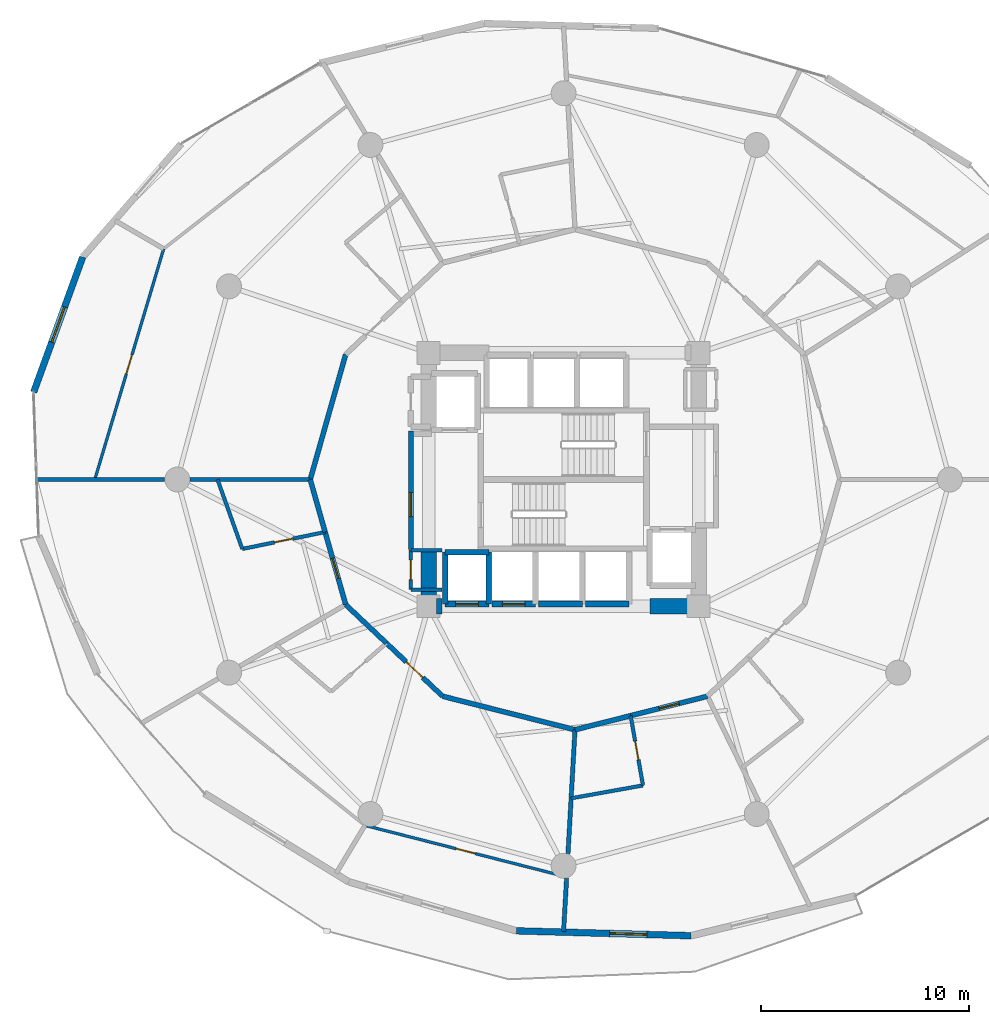
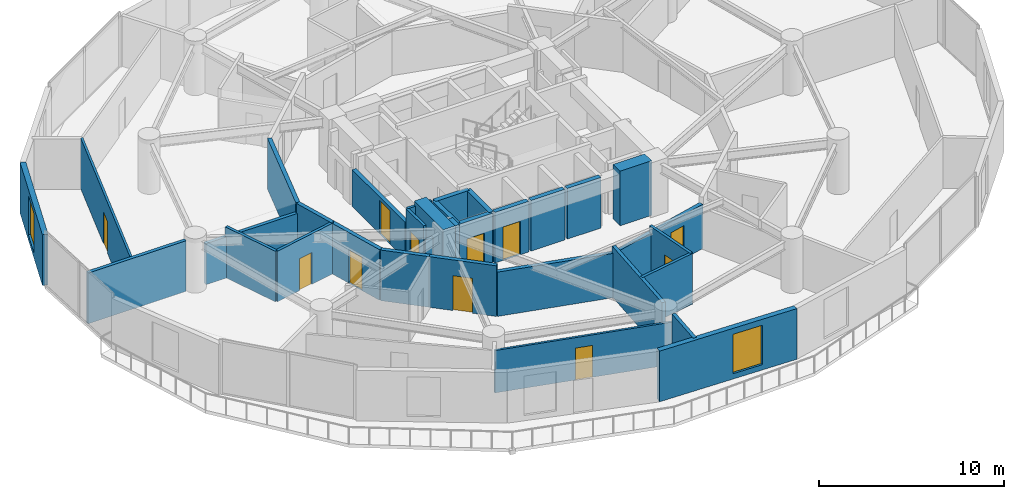
# One storey, part 17 of 23: 34 walls, 11 doors, 2 windows, 13 openings.
"""IFC4 building model written with IfcOpenShell, lengths in metres."""

from ifc_helpers import new_model, si_unit, direction, frame, frame_2d, origin, place, context, subcontext, project, spatial, rectangle, extrude, material, layer, layer_set, type_object, element, fill, save


model = new_model("IFC4")

# Units and contexts
model_context = context("Model", 3, precision=1e-05, world=origin(), true_north=direction((0.0, 1.0)))
body_context = subcontext(model_context, "Body", "Model", "MODEL_VIEW")
ifc_project = project(units=[si_unit("LENGTHUNIT", "METRE"), si_unit("AREAUNIT", "SQUARE_METRE"), si_unit("VOLUMEUNIT", "CUBIC_METRE"), si_unit("PLANEANGLEUNIT", "RADIAN"), si_unit("MASSUNIT", "GRAM", prefix="KILO")], contexts=[model_context])

# Site, building, storey
site_placement = place(None, origin())
site = spatial("IfcSite", under=ifc_project, at=site_placement, CompositionType="ELEMENT")
building_placement = place(site_placement, origin())
building = spatial("IfcBuilding", under=site, at=building_placement, Name="Solvirekh Grand Hotel", CompositionType="ELEMENT")
storey_placement = place(building_placement, frame((0.0, 0.0, 42.800048828125)))
storey = spatial("IfcBuildingStorey", under=building, at=storey_placement, Name="L09", CompositionType="ELEMENT", Elevation=42.800048828125)

# Wall, opening, door
ifc_material_1 = material(Name="Concrete C40/50", Category="concrete")
ifc_layer_1 = layer(ifc_material_1, 0.280029296875)
ifc_layer_set_1 = layer_set([ifc_layer_1], Name="Concrete C40/50")
wall_type_1 = type_object("IfcWallType", Name="CoreShaftWall_RC280", PredefinedType="SOLIDWALL", material=ifc_layer_set_1)
wall_1_placement = place(storey_placement, frame((-5.699951171875, -6.0, 0.0), z_axis=(0.0, 0.0, 1.0), x_axis=(1.0, 0.0, 0.0)))
wall_1 = element("IfcWall", 1, at=wall_1_placement, inside=storey, type_object=wall_type_1, Name="L09 LP-1 hoistway S wall", PredefinedType="SOLIDWALL", context=body_context, shape_type="SweptSolid", body=[
    extrude(rectangle(XDim=2.099853515625, YDim=0.280029296875, at=frame_2d((1.0498046875, 0.0))), origin(), (0.0, 0.0, 1.0), 3.33984375),
])
opening_1_placement = place(wall_1_placement, frame((0.5, 0.0, 0.0)))
opening_1 = element("IfcOpeningElement", 2, at=opening_1_placement, cuts=wall_1, Name="Opening LD01", PredefinedType="OPENING", context=body_context, shape_type="SweptSolid", body=[
    extrude(rectangle(XDim=1.10009765625, YDim=2.199951171875, at=frame_2d((0.550048828125, 1.10009765625))), frame((0.0, 0.14990234375, 0.0), z_axis=(0.0, -1.0, 0.0), x_axis=(1.0, 0.0, 0.0)), (0.0, 0.0, 1.0), 0.300048828125),
])
ifc_material_2 = material(Name="Fire-Rated Steel Door Assembly", Category="steel")
door_type_1 = type_object("IfcDoorType", Name="Door_LiftLanding_1100X2200", OperationType="SLIDING_TO_LEFT", PredefinedType="DOOR", material=ifc_material_2)
door_1_placement = place(opening_1_placement, origin())
door_1 = element("IfcDoor", 3, at=door_1_placement, inside=storey, type_object=door_type_1, Name="L09 LP-1 sliding lift landing door", OperationType="SLIDING_TO_LEFT", OverallHeight=2.199951171875, OverallWidth=1.10009765625, PredefinedType="DOOR", context=body_context, shape_type="SweptSolid", body=[
    extrude(rectangle(XDim=1.10009765625, YDim=2.199951171875, at=frame_2d((0.550048828125, 1.10009765625))), frame((0.0, 0.02490234375, 0.0), z_axis=(0.0, -1.0, 0.0), x_axis=(1.0, 0.0, 0.0)), (0.0, 0.0, 1.0), 0.050048828125),
])
fill(opening_1, door_1)

# Walls
wall_2_placement = place(storey_placement, frame((-3.60009765625, -3.5, 0.0), z_axis=(0.0, 0.0, 1.0), x_axis=(-1.0, 0.0, 0.0)))
element("IfcWall", 4, at=wall_2_placement, inside=storey, type_object=wall_type_1, Name="L09 LP-1 hoistway N wall", PredefinedType="SOLIDWALL", context=body_context, shape_type="SweptSolid", body=[
    extrude(rectangle(XDim=2.099853515625, YDim=0.280029296875, at=frame_2d((1.0498046875, 0.0))), origin(), (0.0, 0.0, 1.0), 3.33984375),
])
for number, where, z_axis, x_axis, name in (
    (5, (-5.699951171875, -3.5, 0.0), (0.0, 0.0, 1.0), (0.0, -1.0, 0.0), "L09 LP-1 hoistway W wall"),
    (6, (-3.60009765625, -6.0, 0.0), (0.0, 0.0, 1.0), (0.0, 1.0, 0.0), "L09 LP-1 hoistway E wall"),
):
    element("IfcWall", number, at=place(storey_placement, frame(where, z_axis=z_axis, x_axis=x_axis)), inside=storey, type_object=wall_type_1, Name=name, PredefinedType="SOLIDWALL", context=body_context, shape_type="SweptSolid", body=[
        extrude(rectangle(XDim=2.5, YDim=0.280029296875, at=frame_2d((1.25, 0.0))), origin(), (0.0, 0.0, 1.0), 3.33984375),
    ])

# Wall, opening, door
wall_3_placement = place(storey_placement, frame((-3.449951171875, -6.0, 0.0), z_axis=(0.0, 0.0, 1.0), x_axis=(1.0, 0.0, 0.0)))
wall_3 = element("IfcWall", 7, at=wall_3_placement, inside=storey, type_object=wall_type_1, Name="L09 LP-2 hoistway S wall", PredefinedType="SOLIDWALL", context=body_context, shape_type="SweptSolid", body=[
    extrude(rectangle(XDim=2.099853515625, YDim=0.280029296875, at=frame_2d((1.0498046875, 0.0))), origin(), (0.0, 0.0, 1.0), 3.33984375),
])
opening_2_placement = place(wall_3_placement, frame((0.5, 0.0, 0.0)))
opening_2 = element("IfcOpeningElement", 8, at=opening_2_placement, cuts=wall_3, Name="Opening LD01", PredefinedType="OPENING", context=body_context, shape_type="SweptSolid", body=[
    extrude(rectangle(XDim=1.10009765625, YDim=2.199951171875, at=frame_2d((0.550048828125, 1.10009765625))), frame((0.0, 0.14990234375, 0.0), z_axis=(0.0, -1.0, 0.0), x_axis=(1.0, 0.0, 0.0)), (0.0, 0.0, 1.0), 0.300048828125),
])
door_2_placement = place(opening_2_placement, origin())
door_2 = element("IfcDoor", 9, at=door_2_placement, inside=storey, type_object=door_type_1, Name="L09 LP-2 sliding lift landing door", OperationType="SLIDING_TO_LEFT", OverallHeight=2.199951171875, OverallWidth=1.10009765625, PredefinedType="DOOR", context=body_context, shape_type="SweptSolid", body=[
    extrude(rectangle(XDim=1.10009765625, YDim=2.199951171875, at=frame_2d((0.550048828125, 1.10009765625))), frame((0.0, 0.02490234375, 0.0), z_axis=(0.0, -1.0, 0.0), x_axis=(1.0, 0.0, 0.0)), (0.0, 0.0, 1.0), 0.050048828125),
])
fill(opening_2, door_2)

# Walls
for number, where, z_axis, x_axis, name in (
    (10, (-1.199951171875, -6.0, 0.0), (0.0, 0.0, 1.0), (1.0, 0.0, 0.0), "L09 MP-1 hoistway S wall"),
    (11, (1.050048828125, -6.0, 0.0), (0.0, 0.0, 1.0), (1.0, 0.0, 0.0), "L09 MP-2 hoistway S wall"),
):
    element("IfcWall", number, at=place(storey_placement, frame(where, z_axis=z_axis, x_axis=x_axis)), inside=storey, type_object=wall_type_1, Name=name, PredefinedType="SOLIDWALL", context=body_context, shape_type="SweptSolid", body=[
        extrude(rectangle(XDim=2.099853515625, YDim=0.280029296875, at=frame_2d((1.0498046875, 0.0))), origin(), (0.0, 0.0, 1.0), 3.33984375),
    ])
ifc_material_3 = material(Name="Concrete C60/75", Category="concrete")
ifc_layer_2 = layer(ifc_material_3, 0.75)
ifc_layer_set_2 = layer_set([ifc_layer_2], Name="Concrete C60/75")
wall_type_2 = type_object("IfcWallType", Name="CoreWall_RC750", PredefinedType="SHEAR", material=ifc_layer_set_2)
wall_4_placement = place(storey_placement, frame((-6.125, -6.10009765625, 0.0), z_axis=(0.0, 0.0, 1.0), x_axis=(1.0, 0.0, 0.0)))
element("IfcWall", 12, at=wall_4_placement, inside=storey, type_object=wall_type_2, Name="L09 core corner shear wall SW-S", PredefinedType="SHEAR", context=body_context, shape_type="SweptSolid", body=[
    extrude(rectangle(XDim=0.27490234375, YDim=0.75, at=frame_2d((0.137451171875, 0.0))), origin(), (0.0, 0.0, 1.0), 3.599853515625),
])
wall_5_placement = place(storey_placement, frame((4.14990234375, -6.10009765625, 0.0), z_axis=(0.0, 0.0, 1.0), x_axis=(1.0, 0.0, 0.0)))
element("IfcWall", 13, at=wall_5_placement, inside=storey, type_object=wall_type_2, Name="L09 core corner shear wall SE-S", PredefinedType="SHEAR", context=body_context, shape_type="SweptSolid", body=[
    extrude(rectangle(XDim=1.97509765625, YDim=0.75, at=frame_2d((0.987548828125, 0.0))), origin(), (0.0, 0.0, 1.0), 3.599853515625),
])
wall_6_placement = place(storey_placement, frame((-6.5, -6.47509765625, 0.0), z_axis=(0.0, 0.0, 1.0), x_axis=(0.0, 1.0, 0.0)))
element("IfcWall", 14, at=wall_6_placement, inside=storey, type_object=wall_type_2, Name="L09 core corner shear wall WS-W", PredefinedType="SHEAR", context=body_context, shape_type="SweptSolid", body=[
    extrude(rectangle(XDim=3.125, YDim=0.75, at=frame_2d((1.5625, 0.0))), origin(), (0.0, 0.0, 1.0), 3.599853515625),
])

# Wall, opening, window
ifc_material_4 = material(Name="Precast concrete C45/55", Category="concrete")
ifc_layer_3 = layer(ifc_material_4, 0.320068359375)
ifc_layer_set_3 = layer_set([ifc_layer_3], Name="Precast concrete C45/55")
wall_type_3 = type_object("IfcWallType", Name="ExtLobbyWall_RC320", PredefinedType="SOLIDWALL", material=ifc_layer_set_3)
wall_7_placement = place(storey_placement, frame((-25.52099609375, 4.205078125, 0.0), z_axis=(0.0, 0.0, 1.0), x_axis=(0.341451539559, 0.939899380856, 0.0)))
wall_7 = element("IfcWall", 15, at=wall_7_placement, inside=storey, type_object=wall_type_3, Name="L09 exterior structural wall chord 10", PredefinedType="SOLIDWALL", context=body_context, shape_type="SweptSolid", body=[
    extrude(rectangle(XDim=6.92626953125, YDim=0.320068359375, at=frame_2d((3.463134765625, 0.0))), origin(), (0.0, 0.0, 1.0), 3.33984375),
])
opening_3_placement = place(wall_7_placement, frame((2.56298828125, 0.0, 0.35009765625)))
opening_3 = element("IfcOpeningElement", 16, at=opening_3_placement, cuts=wall_7, Name="Opening W02", PredefinedType="OPENING", context=body_context, shape_type="SweptSolid", body=[
    extrude(rectangle(XDim=1.800048828125, YDim=2.60009765625, at=frame_2d((0.89990234375, 1.300048828125))), frame((0.0, 0.169921875, 0.0), z_axis=(0.0, -1.0, 0.0), x_axis=(1.0, 0.0, 0.0)), (0.0, 0.0, 1.0), 0.340087890625),
])
ifc_material_5 = material(Name="Low-E Tinted Bronze Laminated Glass", Category="aluminium")
window_type = type_object("IfcWindowType", Name="Win_LobbyExt_1800X2600", PartitioningType="SINGLE_PANEL", PredefinedType="WINDOW", material=ifc_material_5)
window_1_placement = place(opening_3_placement, origin())
window_1 = element("IfcWindow", 17, at=window_1_placement, inside=storey, type_object=window_type, Name="L09 panoramic bronze-framed window 10", OverallHeight=2.60009765625, OverallWidth=1.800048828125, PartitioningType="SINGLE_PANEL", PredefinedType="WINDOW", context=body_context, shape_type="SweptSolid", body=[
    extrude(rectangle(XDim=1.800048828125, YDim=2.60009765625, at=frame_2d((0.89990234375, 1.300048828125))), frame((0.0, 0.030029296875, 0.0), z_axis=(0.0, -1.0, 0.0), x_axis=(1.0, 0.0, 0.0)), (0.0, 0.0, 1.0), 0.06005859375),
])
fill(opening_3, window_1)

wall_8_placement = place(storey_placement, frame((6.133056640625, -21.967041015625, 0.0), z_axis=(0.0, 0.0, 1.0), x_axis=(-0.999609369541, 0.027948315271, 0.0)))
wall_8 = element("IfcWall", 18, at=wall_8_placement, inside=storey, type_object=wall_type_3, Name="L09 exterior structural wall chord 16", PredefinedType="SOLIDWALL", context=body_context, shape_type="SweptSolid", body=[
    extrude(rectangle(XDim=8.412109375, YDim=0.320068359375, at=frame_2d((4.2060546875, 0.0))), origin(), (0.0, 0.0, 1.0), 3.33984375),
])
opening_4_placement = place(wall_8_placement, frame((2.117919921875, 0.0, 0.35009765625)))
opening_4 = element("IfcOpeningElement", 19, at=opening_4_placement, cuts=wall_8, Name="Opening W02", PredefinedType="OPENING", context=body_context, shape_type="SweptSolid", body=[
    extrude(rectangle(XDim=1.800048828125, YDim=2.60009765625, at=frame_2d((0.89990234375, 1.300048828125))), frame((0.0, 0.169921875, 0.0), z_axis=(0.0, -1.0, 0.0), x_axis=(1.0, 0.0, 0.0)), (0.0, 0.0, 1.0), 0.340087890625),
])
window_2_placement = place(opening_4_placement, origin())
window_2 = element("IfcWindow", 20, at=window_2_placement, inside=storey, type_object=window_type, Name="L09 panoramic bronze-framed window 16", OverallHeight=2.60009765625, OverallWidth=1.800048828125, PartitioningType="SINGLE_PANEL", PredefinedType="WINDOW", context=body_context, shape_type="SweptSolid", body=[
    extrude(rectangle(XDim=1.800048828125, YDim=2.60009765625, at=frame_2d((0.89990234375, 1.300048828125))), frame((0.0, 0.030029296875, 0.0), z_axis=(0.0, -1.0, 0.0), x_axis=(1.0, 0.0, 0.0)), (0.0, 0.0, 1.0), 0.06005859375),
])
fill(opening_4, window_2)

# Walls
ifc_material_6 = material(Name="Acoustic Gypsum Partition Assembly")
ifc_layer_4 = layer(ifc_material_6, 0.1650390625)
ifc_layer_set_4 = layer_set([ifc_layer_4], Name="Acoustic Gypsum Partition Assembly")
wall_type_4 = type_object("IfcWallType", Name="Part_BOH_165", PredefinedType="PARTITIONING", material=ifc_layer_set_4)
wall_9_placement = place(storey_placement, frame((-7.35009765625, -5.300048828125, 0.0), z_axis=(0.0, 0.0, 1.0), x_axis=(1.0, 0.0, 0.0)))
element("IfcWall", 21, at=wall_9_placement, inside=storey, type_object=wall_type_4, Name="L09 L09 Butler Service Closet wall 1", PredefinedType="PARTITIONING", context=body_context, shape_type="SweptSolid", body=[
    extrude(rectangle(XDim=1.5, YDim=0.1650390625, at=frame_2d((0.75, 0.0))), origin(), (0.0, 0.0, 1.0), 2.425048828125),
])
wall_10_placement = place(storey_placement, frame((-5.85009765625, -3.39990234375, 0.0), z_axis=(0.0, 0.0, 1.0), x_axis=(-1.0, 0.0, 0.0)))
element("IfcWall", 22, at=wall_10_placement, inside=storey, type_object=wall_type_4, Name="L09 L09 Butler Service Closet wall 3", PredefinedType="PARTITIONING", context=body_context, shape_type="SweptSolid", body=[
    extrude(rectangle(XDim=1.5, YDim=0.1650390625, at=frame_2d((0.75, 0.0))), origin(), (0.0, 0.0, 1.0), 3.33984375),
])

# Wall, opening, door
wall_11_placement = place(storey_placement, frame((-7.35009765625, -3.39990234375, 0.0), z_axis=(0.0, 0.0, 1.0), x_axis=(0.0, -1.0, 0.0)))
wall_11 = element("IfcWall", 23, at=wall_11_placement, inside=storey, type_object=wall_type_4, Name="L09 L09 Butler Service Closet wall 4", PredefinedType="PARTITIONING", context=body_context, shape_type="SweptSolid", body=[
    extrude(rectangle(XDim=1.900146484375, YDim=0.1650390625, at=frame_2d((0.9501953125, 0.0))), origin(), (0.0, 0.0, 1.0), 3.33984375),
])
opening_5_placement = place(wall_11_placement, frame((0.47509765625, 0.0, 0.0)))
opening_5 = element("IfcOpeningElement", 24, at=opening_5_placement, cuts=wall_11, Name="Opening D10", PredefinedType="OPENING", context=body_context, shape_type="SweptSolid", body=[
    extrude(rectangle(XDim=0.949951171875, YDim=2.10009765625, at=frame_2d((0.47509765625, 1.050048828125))), frame((0.0, 0.092529296875, 0.0), z_axis=(0.0, -1.0, 0.0), x_axis=(1.0, 0.0, 0.0)), (0.0, 0.0, 1.0), 0.18505859375),
])
ifc_material_7 = material(Name="Anodized Bronze Aluminium 6063-T6", Category="aluminium")
door_type_2 = type_object("IfcDoorType", Name="Door_RoomInt_950X2100", OperationType="NOTDEFINED", PredefinedType="DOOR", material=ifc_material_7)
door_3_placement = place(opening_5_placement, origin())
door_3 = element("IfcDoor", 25, at=door_3_placement, inside=storey, type_object=door_type_2, Name="L09 L09 Butler Service Closet door", OperationType="SINGLE_SWING_LEFT", OverallHeight=2.10009765625, OverallWidth=0.949951171875, PredefinedType="DOOR", context=body_context, shape_type="SweptSolid", body=[
    extrude(rectangle(XDim=0.949951171875, YDim=2.10009765625, at=frame_2d((0.47509765625, 1.050048828125))), frame((0.0, 0.02490234375, 0.0), z_axis=(0.0, -1.0, 0.0), x_axis=(1.0, 0.0, 0.0)), (0.0, 0.0, 1.0), 0.050048828125),
])
fill(opening_5, door_3)

ifc_layer_5 = layer(ifc_material_6, 0.239990234375)
ifc_layer_set_5 = layer_set([ifc_layer_5], Name="Acoustic Gypsum Partition Assembly")
wall_type_5 = type_object("IfcWallType", Name="Part_Corridor_240", PredefinedType="PARTITIONING", material=ifc_layer_set_5)
wall_12_placement = place(storey_placement, frame((-7.35009765625, -3.3798828125, 0.0), z_axis=(0.0, 0.0, 1.0), x_axis=(0.0, 1.0, 0.0)))
wall_12 = element("IfcWall", 26, at=wall_12_placement, inside=storey, type_object=wall_type_5, Name="L09 west firefighting lobby smoke screen wall", PredefinedType="PARTITIONING", context=body_context, shape_type="SweptSolid", body=[
    extrude(rectangle(XDim=5.719970703125, YDim=0.239990234375, at=frame_2d((2.85986328125, 0.0))), origin(), (0.0, 0.0, 1.0), 2.425048828125),
])
opening_6_placement = place(wall_12_placement, frame((1.59912109375, 0.0, 0.0)))
opening_6 = element("IfcOpeningElement", 27, at=opening_6_placement, cuts=wall_12, Name="Opening D06", PredefinedType="OPENING", context=body_context, shape_type="SweptSolid", body=[
    extrude(rectangle(XDim=1.14990234375, YDim=2.199951171875, at=frame_2d((0.574951171875, 1.10009765625))), frame((0.0, 0.1298828125, 0.0), z_axis=(0.0, -1.0, 0.0), x_axis=(1.0, 0.0, 0.0)), (0.0, 0.0, 1.0), 0.260009765625),
])
door_type_3 = type_object("IfcDoorType", Name="Door_FFLobby_1150X2200", OperationType="NOTDEFINED", PredefinedType="DOOR", material=ifc_material_2)
door_4_placement = place(opening_6_placement, origin())
door_4 = element("IfcDoor", 28, at=door_4_placement, inside=storey, type_object=door_type_3, Name="L09 west firefighting lobby smoke door", OperationType="SINGLE_SWING_RIGHT", OverallHeight=2.199951171875, OverallWidth=1.14990234375, PredefinedType="DOOR", context=body_context, shape_type="SweptSolid", body=[
    extrude(rectangle(XDim=1.14990234375, YDim=2.199951171875, at=frame_2d((0.574951171875, 1.10009765625))), frame((0.0, 0.02490234375, 0.0), z_axis=(0.0, -1.0, 0.0), x_axis=(1.0, 0.0, 0.0)), (0.0, 0.0, 1.0), 0.050048828125),
])
fill(opening_6, door_4)

# Walls
wall_13_placement = place(storey_placement, frame((-10.491943359375, 6.02490234375, 0.0), z_axis=(0.0, 0.0, 1.0), x_axis=(-0.272743314702, -0.962086838225, 0.0)))
element("IfcWall", 29, at=wall_13_placement, inside=storey, type_object=wall_type_5, Name="L09 Executive Suite 1103 Living Room corridor wall 1", PredefinedType="PARTITIONING", context=body_context, shape_type="SweptSolid", body=[
    extrude(rectangle(XDim=6.26220703125, YDim=0.239990234375, at=frame_2d((3.131103515625, 0.0))), origin(), (0.0, 0.0, 1.0), 3.33984375),
])
wall_14_placement = place(storey_placement, frame((-12.199951171875, 0.0, 0.0), z_axis=(0.0, 0.0, 1.0), x_axis=(0.272672757197, -0.962106837873, 0.0)))
element("IfcWall", 30, at=wall_14_placement, inside=storey, type_object=wall_type_5, Name="L09 En-suite Bathroom 1104 corridor backing wall", PredefinedType="PARTITIONING", context=body_context, shape_type="SweptSolid", body=[
    extrude(rectangle(XDim=2.629638671875, YDim=0.239990234375, at=frame_2d((1.31494140625, 0.0))), origin(), (0.0, 0.0, 1.0), 3.33984375),
])

# Wall, opening, door
wall_15_placement = place(storey_placement, frame((-11.48291015625, -2.530029296875, 0.0), z_axis=(0.0, 0.0, 1.0), x_axis=(0.272794390365, -0.96207235725, 0.0)))
wall_15 = element("IfcWall", 31, at=wall_15_placement, inside=storey, type_object=wall_type_5, Name="L09 Deluxe Guestroom 1104 entrance wall", PredefinedType="PARTITIONING", context=body_context, shape_type="SweptSolid", body=[
    extrude(rectangle(XDim=3.632568359375, YDim=0.239990234375, at=frame_2d((1.81640625, 0.0))), origin(), (0.0, 0.0, 1.0), 3.33984375),
])
opening_7_placement = place(wall_15_placement, frame((1.31591796875, 0.0, 0.0)))
opening_7 = element("IfcOpeningElement", 32, at=opening_7_placement, cuts=wall_15, Name="Opening D07", PredefinedType="OPENING", context=body_context, shape_type="SweptSolid", body=[
    extrude(rectangle(XDim=1.0, YDim=2.199951171875, at=frame_2d((0.5, 1.10009765625))), frame((0.0, 0.1298828125, 0.0), z_axis=(0.0, -1.0, 0.0), x_axis=(1.0, 0.0, 0.0)), (0.0, 0.0, 1.0), 0.260009765625),
])
door_type_4 = type_object("IfcDoorType", Name="Door_GuestEntry_1000X2200", OperationType="NOTDEFINED", PredefinedType="DOOR", material=ifc_material_2)
door_5_placement = place(opening_7_placement, origin())
door_5 = element("IfcDoor", 33, at=door_5_placement, inside=storey, type_object=door_type_4, Name="L09 Deluxe Guestroom 1104 entrance door", OperationType="SINGLE_SWING_RIGHT", OverallHeight=2.199951171875, OverallWidth=1.0, PredefinedType="DOOR", context=body_context, shape_type="SweptSolid", body=[
    extrude(rectangle(XDim=1.0, YDim=2.199951171875, at=frame_2d((0.5, 1.10009765625))), frame((0.0, 0.02490234375, 0.0), z_axis=(0.0, -1.0, 0.0), x_axis=(1.0, 0.0, 0.0)), (0.0, 0.0, 1.0), 0.050048828125),
])
fill(opening_7, door_5)

# Walls
wall_16_placement = place(storey_placement, frame((-10.491943359375, -6.02490234375, 0.0), z_axis=(0.0, 0.0, 1.0), x_axis=(0.726651583854, -0.687006168591, 0.0)))
element("IfcWall", 34, at=wall_16_placement, inside=storey, type_object=wall_type_5, Name="L09 En-suite Bathroom 1105 corridor backing wall", PredefinedType="PARTITIONING", context=body_context, shape_type="SweptSolid", body=[
    extrude(rectangle(XDim=2.697265625, YDim=0.239990234375, at=frame_2d((1.3486328125, 0.0))), origin(), (0.0, 0.0, 1.0), 3.33984375),
])
wall_17_placement = place(storey_placement, frame((-5.824951171875, -10.43603515625, 0.0), z_axis=(0.0, 0.0, 1.0), x_axis=(0.969413132073, -0.245434674331, 0.0)))
element("IfcWall", 35, at=wall_17_placement, inside=storey, type_object=wall_type_5, Name="L09 Executive Suite 1105 Living Room corridor wall 1", PredefinedType="PARTITIONING", context=body_context, shape_type="SweptSolid", body=[
    extrude(rectangle(XDim=6.576171875, YDim=0.239990234375, at=frame_2d((3.2880859375, 0.0))), origin(), (0.0, 0.0, 1.0), 2.91796875),
])

# Wall, opening, door
wall_18_placement = place(storey_placement, frame((-8.531982421875, -7.8779296875, 0.0), z_axis=(0.0, 0.0, 1.0), x_axis=(0.726816794063, -0.686831382413, 0.0)))
wall_18 = element("IfcWall", 36, at=wall_18_placement, inside=storey, type_object=wall_type_5, Name="L09 Executive Suite 1105 Living Room entrance wall", PredefinedType="PARTITIONING", context=body_context, shape_type="SweptSolid", body=[
    extrude(rectangle(XDim=3.724609375, YDim=0.239990234375, at=frame_2d((1.8623046875, 0.0))), origin(), (0.0, 0.0, 1.0), 3.33984375),
])
opening_8_placement = place(wall_18_placement, frame((1.31201171875, 0.0, 0.0)))
opening_8 = element("IfcOpeningElement", 37, at=opening_8_placement, cuts=wall_18, Name="Opening D08", PredefinedType="OPENING", context=body_context, shape_type="SweptSolid", body=[
    extrude(rectangle(XDim=1.10009765625, YDim=2.300048828125, at=frame_2d((0.550048828125, 1.14990234375))), frame((0.0, 0.1298828125, 0.0), z_axis=(0.0, -1.0, 0.0), x_axis=(1.0, 0.0, 0.0)), (0.0, 0.0, 1.0), 0.260009765625),
])
door_type_5 = type_object("IfcDoorType", Name="Door_SuiteEntry_1100X2300", OperationType="NOTDEFINED", PredefinedType="DOOR", material=ifc_material_2)
door_6_placement = place(opening_8_placement, origin())
door_6 = element("IfcDoor", 38, at=door_6_placement, inside=storey, type_object=door_type_5, Name="L09 Executive Suite 1105 Living Room entrance door", OperationType="SINGLE_SWING_RIGHT", OverallHeight=2.300048828125, OverallWidth=1.10009765625, PredefinedType="DOOR", context=body_context, shape_type="SweptSolid", body=[
    extrude(rectangle(XDim=1.10009765625, YDim=2.300048828125, at=frame_2d((0.550048828125, 1.14990234375))), frame((0.0, 0.02490234375, 0.0), z_axis=(0.0, -1.0, 0.0), x_axis=(1.0, 0.0, 0.0)), (0.0, 0.0, 1.0), 0.050048828125),
])
fill(opening_8, door_6)

# Wall
wall_19_placement = place(storey_placement, frame((0.550048828125, -12.050048828125, 0.0), z_axis=(0.0, 0.0, 1.0), x_axis=(0.969415576054, 0.245425020941, 0.0)))
element("IfcWall", 39, at=wall_19_placement, inside=storey, type_object=wall_type_5, Name="L09 En-suite Bathroom 1106 corridor backing wall", PredefinedType="PARTITIONING", context=body_context, shape_type="SweptSolid", body=[
    extrude(rectangle(XDim=2.762451171875, YDim=0.239990234375, at=frame_2d((1.38134765625, 0.0))), origin(), (0.0, 0.0, 1.0), 2.91796875),
])

# Wall, opening, door
wall_20_placement = place(storey_placement, frame((3.22802734375, -11.3720703125, 0.0), z_axis=(0.0, 0.0, 1.0), x_axis=(0.969411361696, 0.245441666826, 0.0)))
wall_20 = element("IfcWall", 40, at=wall_20_placement, inside=storey, type_object=wall_type_5, Name="L09 Deluxe Guestroom 1106 entrance wall", PredefinedType="PARTITIONING", context=body_context, shape_type="SweptSolid", body=[
    extrude(rectangle(XDim=3.813720703125, YDim=0.239990234375, at=frame_2d((1.90673828125, 0.0))), origin(), (0.0, 0.0, 1.0), 2.91796875),
])
opening_9_placement = place(wall_20_placement, frame((1.406982421875, 0.0, 0.0)))
opening_9 = element("IfcOpeningElement", 41, at=opening_9_placement, cuts=wall_20, Name="Opening D07", PredefinedType="OPENING", context=body_context, shape_type="SweptSolid", body=[
    extrude(rectangle(XDim=1.0, YDim=2.199951171875, at=frame_2d((0.5, 1.10009765625))), frame((0.0, 0.1298828125, 0.0), z_axis=(0.0, -1.0, 0.0), x_axis=(1.0, 0.0, 0.0)), (0.0, 0.0, 1.0), 0.260009765625),
])
door_7_placement = place(opening_9_placement, origin())
door_7 = element("IfcDoor", 42, at=door_7_placement, inside=storey, type_object=door_type_4, Name="L09 Deluxe Guestroom 1106 entrance door", OperationType="SINGLE_SWING_RIGHT", OverallHeight=2.199951171875, OverallWidth=1.0, PredefinedType="DOOR", context=body_context, shape_type="SweptSolid", body=[
    extrude(rectangle(XDim=1.0, YDim=2.199951171875, at=frame_2d((0.5, 1.10009765625))), frame((0.0, 0.02490234375, 0.0), z_axis=(0.0, -1.0, 0.0), x_axis=(1.0, 0.0, 0.0)), (0.0, 0.0, 1.0), 0.050048828125),
])
fill(opening_9, door_7)

ifc_layer_6 = layer(ifc_material_6, 0.135009765625)
ifc_layer_set_6 = layer_set([ifc_layer_6], Name="Acoustic Gypsum Partition Assembly")
wall_type_6 = type_object("IfcWallType", Name="Part_RoomInt_135", PredefinedType="PARTITIONING", material=ifc_layer_set_6)
wall_21_placement = place(storey_placement, frame((-19.256103515625, 11.111083984375, 0.0), z_axis=(0.0, 0.0, 1.0), x_axis=(-0.28604764492, -0.958215395846, 0.0)))
wall_21 = element("IfcWall", 43, at=wall_21_placement, inside=storey, type_object=wall_type_6, Name="L09 Executive Suite 1103 Panorama Suite Study bedroom screen wall", PredefinedType="PARTITIONING", context=body_context, shape_type="SweptSolid", body=[
    extrude(rectangle(XDim=11.595703125, YDim=0.135009765625, at=frame_2d((5.7978515625, 0.0))), origin(), (0.0, 0.0, 1.0), 3.33984375),
])
opening_10_placement = place(wall_21_placement, frame((5.322998046875, 0.0, 0.0)))
opening_10 = element("IfcOpeningElement", 44, at=opening_10_placement, cuts=wall_21, Name="Opening D10", PredefinedType="OPENING", context=body_context, shape_type="SweptSolid", body=[
    extrude(rectangle(XDim=0.949951171875, YDim=2.10009765625, at=frame_2d((0.47509765625, 1.050048828125))), frame((0.0, 0.07763671875, 0.0), z_axis=(0.0, -1.0, 0.0), x_axis=(1.0, 0.0, 0.0)), (0.0, 0.0, 1.0), 0.155029296875),
])
door_8_placement = place(opening_10_placement, origin())
door_8 = element("IfcDoor", 45, at=door_8_placement, inside=storey, type_object=door_type_2, Name="L09 Executive Suite 1103 Panorama Suite Study master bedroom door", OperationType="SINGLE_SWING_RIGHT", OverallHeight=2.10009765625, OverallWidth=0.949951171875, PredefinedType="DOOR", context=body_context, shape_type="SweptSolid", body=[
    extrude(rectangle(XDim=0.949951171875, YDim=2.10009765625, at=frame_2d((0.47509765625, 1.050048828125))), frame((0.0, 0.02490234375, 0.0), z_axis=(0.0, -1.0, 0.0), x_axis=(1.0, 0.0, 0.0)), (0.0, 0.0, 1.0), 0.050048828125),
])
fill(opening_10, door_8)

wall_22_placement = place(storey_placement, frame((-9.56298828125, -16.656005859375, 0.0), z_axis=(0.0, 0.0, 1.0), x_axis=(0.968932863531, -0.247323888796, 0.0)))
wall_22 = element("IfcWall", 46, at=wall_22_placement, inside=storey, type_object=wall_type_6, Name="L09 Executive Suite 1105 Panorama Suite Study bedroom screen wall", PredefinedType="PARTITIONING", context=body_context, shape_type="SweptSolid", body=[
    extrude(rectangle(XDim=10.023193359375, YDim=0.135009765625, at=frame_2d((5.01171875, 0.0))), origin(), (0.0, 0.0, 1.0), 2.791015625),
])
opening_11_placement = place(wall_22_placement, frame((4.537109375, 0.0, 0.0)))
opening_11 = element("IfcOpeningElement", 47, at=opening_11_placement, cuts=wall_22, Name="Opening D10", PredefinedType="OPENING", context=body_context, shape_type="SweptSolid", body=[
    extrude(rectangle(XDim=0.949951171875, YDim=2.10009765625, at=frame_2d((0.47509765625, 1.050048828125))), frame((0.0, 0.07763671875, 0.0), z_axis=(0.0, -1.0, 0.0), x_axis=(1.0, 0.0, 0.0)), (0.0, 0.0, 1.0), 0.155029296875),
])
door_9_placement = place(opening_11_placement, origin())
door_9 = element("IfcDoor", 48, at=door_9_placement, inside=storey, type_object=door_type_2, Name="L09 Executive Suite 1105 Panorama Suite Study master bedroom door", OperationType="SINGLE_SWING_RIGHT", OverallHeight=2.10009765625, OverallWidth=0.949951171875, PredefinedType="DOOR", context=body_context, shape_type="SweptSolid", body=[
    extrude(rectangle(XDim=0.949951171875, YDim=2.10009765625, at=frame_2d((0.47509765625, 1.050048828125))), frame((0.0, 0.02490234375, 0.0), z_axis=(0.0, -1.0, 0.0), x_axis=(1.0, 0.0, 0.0)), (0.0, 0.0, 1.0), 0.050048828125),
])
fill(opening_11, door_9)

# Walls
ifc_layer_7 = layer(ifc_material_6, 0.2099609375)
ifc_layer_set_7 = layer_set([ifc_layer_7], Name="Acoustic Gypsum Partition Assembly")
wall_type_7 = type_object("IfcWallType", Name="Part_SuiteDemise_210", PredefinedType="PARTITIONING", material=ifc_layer_set_7)
wall_23_placement = place(storey_placement, frame((-12.199951171875, 0.0, 0.0), z_axis=(0.0, 0.0, 1.0), x_axis=(-1.0, 0.0, 0.0)))
element("IfcWall", 49, at=wall_23_placement, inside=storey, type_object=wall_type_7, Name="L09 suite radial wall 7 (A)", PredefinedType="PARTITIONING", context=body_context, shape_type="SweptSolid", body=[
    extrude(rectangle(XDim=5.780029296875, YDim=0.2099609375, at=frame_2d((2.89013671875, 0.0))), origin(), (0.0, 0.0, 1.0), 2.7080078125),
])
wall_24_placement = place(storey_placement, frame((-19.219970703125, 0.0, 0.0), z_axis=(0.0, 0.0, 1.0), x_axis=(-1.0, 0.0, 0.0)))
element("IfcWall", 50, at=wall_24_placement, inside=storey, type_object=wall_type_7, Name="L09 suite radial wall 7 (B)", PredefinedType="PARTITIONING", context=body_context, shape_type="SweptSolid", body=[
    extrude(rectangle(XDim=6.111083984375, YDim=0.2099609375, at=frame_2d((3.0556640625, 0.0))), origin(), (0.0, 0.0, 1.0), 3.33984375),
])
wall_25_placement = place(storey_placement, frame((0.550048828125, -12.050048828125, 0.0), z_axis=(0.0, 0.0, 1.0), x_axis=(-0.0565763109, -0.998398277765, 0.0)))
element("IfcWall", 51, at=wall_25_placement, inside=storey, type_object=wall_type_7, Name="L09 suite radial wall 10 (A)", PredefinedType="PARTITIONING", context=body_context, shape_type="SweptSolid", body=[
    extrude(rectangle(XDim=5.9765625, YDim=0.2099609375, at=frame_2d((2.98828125, 0.0))), origin(), (0.0, 0.0, 1.0), 3.33984375),
])
wall_26_placement = place(storey_placement, frame((0.14501953125, -19.202880859375, 0.0), z_axis=(0.0, 0.0, 1.0), x_axis=(-0.056707225594, -0.998390850602, 0.0)))
element("IfcWall", 52, at=wall_26_placement, inside=storey, type_object=wall_type_7, Name="L09 suite radial wall 10 (B)", PredefinedType="PARTITIONING", context=body_context, shape_type="SweptSolid", body=[
    extrude(rectangle(XDim=2.557373046875, YDim=0.2099609375, at=frame_2d((1.27880859375, 0.0))), origin(), (0.0, 0.0, 1.0), 3.33984375),
])
ifc_layer_8 = layer(ifc_material_6, 0.175048828125)
ifc_layer_set_8 = layer_set([ifc_layer_8], Name="Acoustic Gypsum Partition Assembly")
wall_type_8 = type_object("IfcWallType", Name="Plumb_Ensuite_175", PredefinedType="PLUMBINGWALL", material=ifc_layer_set_8)
wall_27_placement = place(storey_placement, frame((-16.6650390625, 0.0, 0.0), z_axis=(0.0, 0.0, 1.0), x_axis=(0.336375607453, -0.941727906941, 0.0)))
element("IfcWall", 53, at=wall_27_placement, inside=storey, type_object=wall_type_8, Name="L09 En-suite Bathroom 1104 outer plumbing wall", PredefinedType="PLUMBINGWALL", context=body_context, shape_type="SweptSolid", body=[
    extrude(rectangle(XDim=3.5498046875, YDim=0.175048828125, at=frame_2d((1.77490234375, 0.0))), origin(), (0.0, 0.0, 1.0), 3.33984375),
])

# Wall, opening, door
wall_28_placement = place(storey_placement, frame((-11.48291015625, -2.530029296875, 0.0), z_axis=(0.0, 0.0, 1.0), x_axis=(-0.979847207533, -0.19974846655, 0.0)))
wall_28 = element("IfcWall", 54, at=wall_28_placement, inside=storey, type_object=wall_type_8, Name="L09 En-suite Bathroom 1104 entry plumbing wall", PredefinedType="PLUMBINGWALL", context=body_context, shape_type="SweptSolid", body=[
    extrude(rectangle(XDim=4.070068359375, YDim=0.175048828125, at=frame_2d((2.03515625, 0.0))), origin(), (0.0, 0.0, 1.0), 3.33984375),
])
opening_12_placement = place(wall_28_placement, frame((1.5849609375, 0.0, 0.0)))
opening_12 = element("IfcOpeningElement", 55, at=opening_12_placement, cuts=wall_28, Name="Opening D09", PredefinedType="OPENING", context=body_context, shape_type="SweptSolid", body=[
    extrude(rectangle(XDim=0.89990234375, YDim=2.10009765625, at=frame_2d((0.449951171875, 1.050048828125))), frame((0.0, 0.09765625, 0.0), z_axis=(0.0, -1.0, 0.0), x_axis=(1.0, 0.0, 0.0)), (0.0, 0.0, 1.0), 0.195068359375),
])
door_type_6 = type_object("IfcDoorType", Name="Door_Ensuite_900X2100", OperationType="NOTDEFINED", PredefinedType="DOOR", material=ifc_material_7)
door_10_placement = place(opening_12_placement, origin())
door_10 = element("IfcDoor", 56, at=door_10_placement, inside=storey, type_object=door_type_6, Name="L09 En-suite Bathroom 1104 door", OperationType="SINGLE_SWING_LEFT", OverallHeight=2.10009765625, OverallWidth=0.89990234375, PredefinedType="DOOR", context=body_context, shape_type="SweptSolid", body=[
    extrude(rectangle(XDim=0.89990234375, YDim=2.10009765625, at=frame_2d((0.449951171875, 1.050048828125))), frame((0.0, 0.02490234375, 0.0), z_axis=(0.0, -1.0, 0.0), x_axis=(1.0, 0.0, 0.0)), (0.0, 0.0, 1.0), 0.050048828125),
])
fill(opening_12, door_10)

# Wall
wall_29_placement = place(storey_placement, frame((0.363037109375, -15.35009765625, 0.0), z_axis=(0.0, 0.0, 1.0), x_axis=(0.984276159759, 0.176636466593, 0.0)))
element("IfcWall", 57, at=wall_29_placement, inside=storey, type_object=wall_type_8, Name="L09 En-suite Bathroom 1106 outer plumbing wall", PredefinedType="PLUMBINGWALL", context=body_context, shape_type="SweptSolid", body=[
    extrude(rectangle(XDim=3.51611328125, YDim=0.175048828125, at=frame_2d((1.758056640625, 0.0))), origin(), (0.0, 0.0, 1.0), 3.33984375),
])

# Wall, opening, door
wall_30_placement = place(storey_placement, frame((3.22802734375, -11.3720703125, 0.0), z_axis=(0.0, 0.0, 1.0), x_axis=(0.174794237524, -0.984604984005, 0.0)))
wall_30 = element("IfcWall", 58, at=wall_30_placement, inside=storey, type_object=wall_type_8, Name="L09 En-suite Bathroom 1106 entry plumbing wall", PredefinedType="PLUMBINGWALL", context=body_context, shape_type="SweptSolid", body=[
    extrude(rectangle(XDim=3.409423828125, YDim=0.175048828125, at=frame_2d((1.70458984375, 0.0))), origin(), (0.0, 0.0, 1.0), 3.33984375),
])
opening_13_placement = place(wall_30_placement, frame((1.2548828125, 0.0, 0.0)))
opening_13 = element("IfcOpeningElement", 59, at=opening_13_placement, cuts=wall_30, Name="Opening D09", PredefinedType="OPENING", context=body_context, shape_type="SweptSolid", body=[
    extrude(rectangle(XDim=0.89990234375, YDim=2.10009765625, at=frame_2d((0.449951171875, 1.050048828125))), frame((0.0, 0.09765625, 0.0), z_axis=(0.0, -1.0, 0.0), x_axis=(1.0, 0.0, 0.0)), (0.0, 0.0, 1.0), 0.195068359375),
])
door_11_placement = place(opening_13_placement, origin())
door_11 = element("IfcDoor", 60, at=door_11_placement, inside=storey, type_object=door_type_6, Name="L09 En-suite Bathroom 1106 door", OperationType="SINGLE_SWING_LEFT", OverallHeight=2.10009765625, OverallWidth=0.89990234375, PredefinedType="DOOR", context=body_context, shape_type="SweptSolid", body=[
    extrude(rectangle(XDim=0.89990234375, YDim=2.10009765625, at=frame_2d((0.449951171875, 1.050048828125))), frame((0.0, 0.02490234375, 0.0), z_axis=(0.0, -1.0, 0.0), x_axis=(1.0, 0.0, 0.0)), (0.0, 0.0, 1.0), 0.050048828125),
])
fill(opening_13, door_11)

save(model, "model.ifc")
